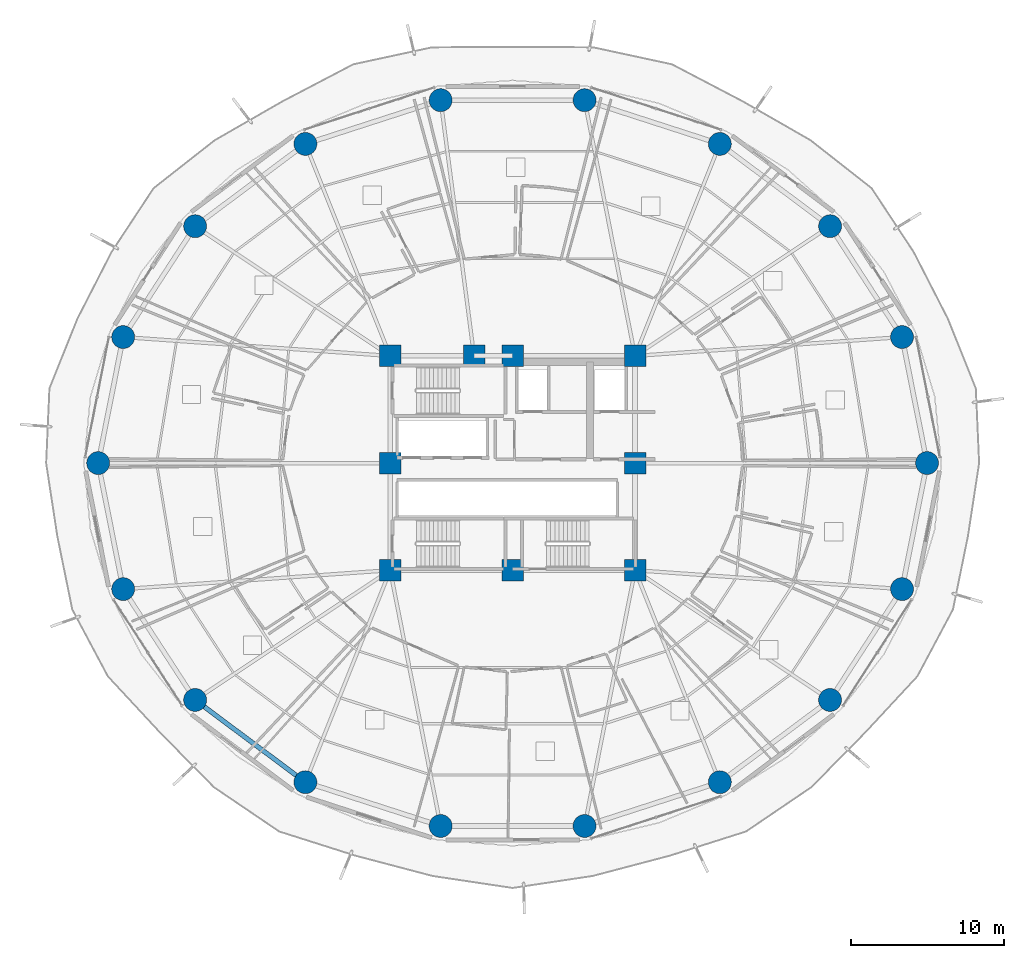
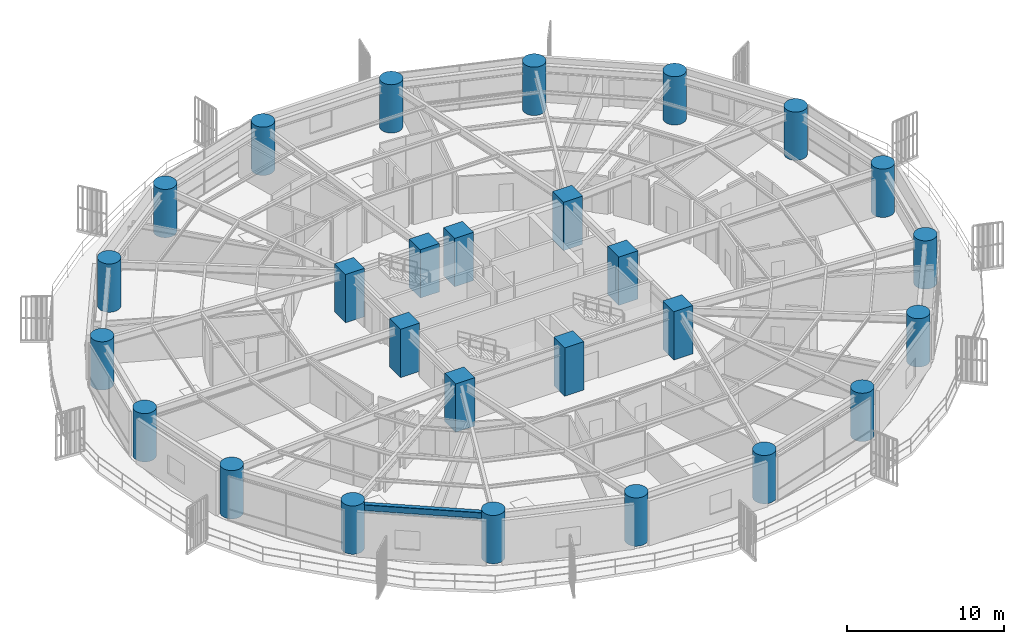
# One storey, part 1 of 34: 27 columns, 1 beam.
"""IFC4 building model written with IfcOpenShell, lengths in metres."""

import ifcopenshell
import ifcopenshell.guid

model = None  # the IFC model being written
_history = None  # IfcOwnerHistory: only IFC2X3 demands one
_inside = {}  # id of a spatial element -> (the spatial element, [elements in it])
_under = {}  # id of a project, library or spatial element -> (it, [spatial elements below it])
_declared = {}  # id of a project -> (the project, [libraries it declares])
_typed = {}  # id of a type object -> (the type object, [elements of that type])
_made_of = {}  # id of a material, layer set ... -> (it, [elements and type objects made of it])


def new_model(schema):
    """Start an empty IFC model of exactly this schema.

    Asked for "IFC4X3", IfcOpenShell would pick the latest addendum, in which some entities
    have other attributes; the version numbers below select the first issue.
    IFC2X3 requires an IfcOwnerHistory on every rooted entity: one is made here for all.
    """
    global model, _history
    if schema == "IFC4X3":
        model = ifcopenshell.file(schema_version=(4, 3, 0, 0))
    else:
        model = ifcopenshell.file(schema=schema)
    _inside.clear()
    _under.clear()
    _declared.clear()
    _typed.clear()
    _made_of.clear()
    _history = None
    if model.schema == "IFC2X3":
        org = make("IfcOrganization", Name="unknown")
        user = make(
            "IfcPersonAndOrganization",
            ThePerson=make("IfcPerson", FamilyName="unknown"),
            TheOrganization=org,
        )
        app = make(
            "IfcApplication",
            ApplicationDeveloper=org,
            Version="unknown",
            ApplicationFullName="unknown",
            ApplicationIdentifier="unknown",
        )
        _history = make(
            "IfcOwnerHistory",
            OwningUser=user,
            OwningApplication=app,
            ChangeAction="ADDED",
            CreationDate=0,
        )
    return model


def make(cls, **values):
    """One entity of the class cls with the attributes given. An attribute that is None is left unset."""
    return model.create_entity(
        cls, **{name: value for name, value in values.items() if value is not None}
    )


def rooted(cls, **values):
    """An entity with a GlobalId (a new one), such as an element, a storey or a relation."""
    return make(cls, GlobalId=ifcopenshell.guid.new(), OwnerHistory=_history, **values)


def si_unit(unit_type, name, prefix=None):
    """IfcSIUnit, for example si_unit("LENGTHUNIT", "METRE", prefix="MILLI")."""
    return make("IfcSIUnit", UnitType=unit_type, Prefix=prefix, Name=name)


def assignment(units):
    """IfcUnitAssignment: the units of a project."""
    return None if units is None else make("IfcUnitAssignment", Units=units)


def point(xyz):
    """IfcCartesianPoint."""
    return None if xyz is None else make("IfcCartesianPoint", Coordinates=xyz)


def direction(xyz):
    """IfcDirection."""
    return None if xyz is None else make("IfcDirection", DirectionRatios=xyz)


def frame(location, z_axis=None, x_axis=None):
    """IfcAxis2Placement3D, a coordinate frame: its origin and axes. An axis left out is left unset."""
    return make(
        "IfcAxis2Placement3D",
        Location=point(location),
        Axis=direction(z_axis),
        RefDirection=direction(x_axis),
    )


def frame_2d(location, x_axis=None):
    """IfcAxis2Placement2D, a coordinate frame in the plane: its origin and x axis."""
    return make(
        "IfcAxis2Placement2D", Location=point(location), RefDirection=direction(x_axis)
    )


def origin():
    """The frame at (0, 0, 0) with its axes left unset."""
    return frame((0.0, 0.0, 0.0))


def origin_2d():
    """The frame at (0, 0) in the plane with its x axis left unset."""
    return frame_2d((0.0, 0.0))


def place(relative_to, where):
    """IfcLocalPlacement: puts the frame where relative to a parent placement (None: the world)."""
    return make(
        "IfcLocalPlacement", PlacementRelTo=relative_to, RelativePlacement=where
    )


def context(
    kind, dimensions, precision=None, world=None, true_north=None, identifier=None
):
    """IfcGeometricRepresentationContext, for example the 3D "Model" context."""
    return make(
        "IfcGeometricRepresentationContext",
        ContextIdentifier=identifier,
        ContextType=kind,
        CoordinateSpaceDimension=dimensions,
        Precision=precision,
        WorldCoordinateSystem=world,
        TrueNorth=true_north,
    )


def subcontext(parent, identifier, kind, view, scale=None):
    """IfcGeometricRepresentationSubContext, for example "Body" below "Model"."""
    return make(
        "IfcGeometricRepresentationSubContext",
        ContextIdentifier=identifier,
        ContextType=kind,
        ParentContext=parent,
        TargetScale=scale,
        TargetView=view,
    )


def project(units=None, contexts=None):
    """IfcProject with its units and contexts."""
    return rooted(
        "IfcProject",
        Name="project",
        RepresentationContexts=contexts,
        UnitsInContext=assignment(units),
    )


def spatial(cls, under=None, at=None, **own):
    """A site, building, storey or space (cls), placed at a placement, below another one or the project."""
    s = rooted(cls, ObjectPlacement=at, **own)
    if under is not None:
        _under.setdefault(under.id(), (under, []))[1].append(s)
    return s


def profile(cls, at=None, kind="AREA", **sizes):
    """A parametric profile (cls). Its sizes go by their IFC names, for example OverallWidth=200.0."""
    return make(cls, ProfileType=kind, Position=at, **sizes)


def rectangle(**sizes):
    """IfcRectangleProfileDef."""
    return profile("IfcRectangleProfileDef", **sizes)


def circle(**sizes):
    """IfcCircleProfileDef."""
    return profile("IfcCircleProfileDef", **sizes)


def i_section(**sizes):
    """IfcIShapeProfileDef."""
    return profile("IfcIShapeProfileDef", **sizes)


def extrude(swept, where, along, depth):
    """IfcExtrudedAreaSolid: the profile swept, set in the frame where, extruded along a direction by depth."""
    return make(
        "IfcExtrudedAreaSolid",
        SweptArea=swept,
        Position=where,
        ExtrudedDirection=direction(along),
        Depth=depth,
    )


def shape(context_of_items, identifier, shape_type, items):
    """IfcShapeRepresentation: the items that make up one representation, for example the "Body"."""
    return make(
        "IfcShapeRepresentation",
        ContextOfItems=context_of_items,
        RepresentationIdentifier=identifier,
        RepresentationType=shape_type,
        Items=items,
    )


def material(Name=None, Category=None):
    """IfcMaterial."""
    return make("IfcMaterial", Name=Name, Category=Category)


def material_profile(
    of_material, cross_section, Name=None, Category=None, Priority=None
):
    """IfcMaterialProfile: a cross section and its material."""
    return make(
        "IfcMaterialProfile",
        Name=Name,
        Material=of_material,
        Profile=cross_section,
        Priority=Priority,
        Category=Category,
    )


def profile_set(profiles, Name=None, composite=None):
    """IfcMaterialProfileSet."""
    return make(
        "IfcMaterialProfileSet",
        Name=Name,
        MaterialProfiles=profiles,
        CompositeProfile=composite,
    )


def made_of(thing, what):
    """Note that an element or type object is made of a material, layer set ...; save() writes the relation."""
    if what is not None:
        _made_of.setdefault(what.id(), (what, []))[1].append(thing)
    return thing


def type_object(cls, material=None, **own):
    """A type object (cls), such as IfcWallType, which elements share."""
    return made_of(rooted(cls, **own), material)


def element(
    cls,
    number,
    at=None,
    inside=None,
    cuts=None,
    type_object=None,
    material=None,
    context=None,
    identifier="Body",
    shape_type=None,
    held_by="IfcProductDefinitionShape",
    body=None,
    shapes=None,
    **own,
):
    """One element of the class cls, such as IfcWall. Its Tag is "e" and its number.

    at: its placement. inside: the storey or other place that contains it. cuts: it is an
    opening in that element (IfcRelVoidsElement). A single representation is given by context,
    identifier, shape_type and body (its items); several are given by shapes. held_by: the class
    of the entity that holds the representations. save() writes the other relations.
    """
    e = rooted(cls, Tag="e%d" % number, ObjectPlacement=at, **own)
    if body is not None:
        shapes = [shape(context, identifier, shape_type, body)]
    if shapes is not None:
        e.Representation = make(held_by, Representations=shapes)
    if inside is not None:
        _inside.setdefault(inside.id(), (inside, []))[1].append(e)
    if cuts is not None:
        rooted(
            "IfcRelVoidsElement", RelatingBuildingElement=cuts, RelatedOpeningElement=e
        )
    if type_object is not None:
        _typed.setdefault(type_object.id(), (type_object, []))[1].append(e)
    return made_of(e, material)


def aggregate(whole, parts):
    """IfcRelAggregates: a whole, such as a stair, and the parts it consists of."""
    return rooted("IfcRelAggregates", RelatingObject=whole, RelatedObjects=parts)


def save(model, path):
    """Write the relations noted so far, then the file.

    IfcRelAggregates (storeys below a building ...), IfcRelContainedInSpatialStructure (elements
    in a storey), IfcRelDefinesByType, IfcRelAssociatesMaterial and IfcRelDeclares: one each for
    every whole, place, type object, material and project.
    """
    for whole, parts in _under.values():
        aggregate(whole, parts)
    for where, things in _inside.values():
        rooted(
            "IfcRelContainedInSpatialStructure",
            RelatedElements=things,
            RelatingStructure=where,
        )
    for kind, things in _typed.values():
        rooted("IfcRelDefinesByType", RelatedObjects=things, RelatingType=kind)
    for what, things in _made_of.values():
        rooted("IfcRelAssociatesMaterial", RelatedObjects=things, RelatingMaterial=what)
    for by, libraries in _declared.values():
        rooted("IfcRelDeclares", RelatingContext=by, RelatedDefinitions=libraries)
    model.write(path)


model = new_model("IFC4")

# Units and contexts
model_context = context("Model", 3, precision=1e-05, world=origin(), true_north=direction((0.0, 1.0)))
body_context = subcontext(model_context, "Body", "Model", "MODEL_VIEW")
ifc_project = project(units=[si_unit("LENGTHUNIT", "METRE"), si_unit("AREAUNIT", "SQUARE_METRE"), si_unit("VOLUMEUNIT", "CUBIC_METRE"), si_unit("PLANEANGLEUNIT", "RADIAN"), si_unit("MASSUNIT", "GRAM", prefix="KILO")], contexts=[model_context])

# Site, building, storey
site_placement = place(None, origin())
site = spatial("IfcSite", under=ifc_project, at=site_placement, CompositionType="ELEMENT")
building_placement = place(site_placement, origin())
building = spatial("IfcBuilding", under=site, at=building_placement, Name="Kelanora Arch Commons", CompositionType="ELEMENT")
storey_placement = place(building_placement, frame((0.0, 0.0, 30.0)))
storey = spatial("IfcBuildingStorey", under=building, at=storey_placement, Name="L07", CompositionType="ELEMENT", Elevation=30.0)

# Columns
ifc_material_1 = material(Name="Concrete C60/75", Category="concrete")
ifc_material_profile_1 = material_profile(ifc_material_1, circle(Radius=0.75, at=origin_2d()), Name="RCC1500")
ifc_profile_set_1 = profile_set([ifc_material_profile_1], Name="Concrete C60/75")
column_type_1 = type_object("IfcColumnType", Name="COL-PERIM-Z1", PredefinedType="COLUMN", material=ifc_profile_set_1)
for number, where, z_axis, x_axis, name in (
    (1, (101.080078125, 58.0, 0.0), (0.0, 0.0, 1.0), (1.0, 0.0, 0.0), "Perimeter Ring Column CP-00 L07"),
    (2, (99.447021484375, 66.23583984375, 0.0), (0.0, 0.0, 1.0), (1.0, 0.0, 0.0), "Perimeter Ring Column CP-02 L07"),
    (3, (94.744384765625, 73.478271484375, 0.0), (0.0, 0.0, 1.0), (1.0, 0.0, 0.0), "Perimeter Ring Column CP-04 L07"),
    (4, (87.5400390625, 78.85400390625, 0.0), (0.0, 0.0, 1.0), (1.0, 0.0, 0.0), "Perimeter Ring Column CP-06 L07"),
    (5, (78.702392578125, 81.714111328125, 0.0), (0.0, 0.0, 1.0), (1.0, 0.0, 0.0), "Perimeter Ring Column CP-08 L07"),
    (6, (69.297607421875, 81.714111328125, 0.0), (0.0, 0.0, 1.0), (1.0, 0.0, 0.0), "Perimeter Ring Column CP-10 L07"),
    (7, (60.4599609375, 78.85400390625, 0.0), (0.0, 0.0, 1.0), (1.0, 0.0, 0.0), "Perimeter Ring Column CP-12 L07"),
    (8, (53.255615234375, 73.478271484375, 0.0), (0.0, 0.0, 1.0), (1.0, 0.0, 0.0), "Perimeter Ring Column CP-14 L07"),
    (9, (48.552978515625, 66.23583984375, 0.0), (0.0, 0.0, 1.0), (1.0, 0.0, 0.0), "Perimeter Ring Column CP-16 L07"),
    (10, (46.919921875, 58.0, 0.0), (0.0, 0.0, 1.0), (1.0, 0.0, 0.0), "Perimeter Ring Column CP-18 L07"),
    (11, (48.552978515625, 49.76416015625, 0.0), (0.0, 0.0, 1.0), (1.0, 0.0, 0.0), "Perimeter Ring Column CP-20 L07"),
    (12, (53.255615234375, 42.521728515625, 0.0), (0.0, 0.0, 1.0), (1.0, 0.0, 0.0), "Perimeter Ring Column CP-22 L07"),
    (13, (60.4599609375, 37.14599609375, 0.0), (0.0, 0.0, 1.0), (1.0, 0.0, 0.0), "Perimeter Ring Column CP-24 L07"),
    (14, (69.297607421875, 34.285888671875, 0.0), (0.0, 0.0, 1.0), (1.0, 0.0, 0.0), "Perimeter Ring Column CP-26 L07"),
    (15, (78.702392578125, 34.285888671875, 0.0), (0.0, 0.0, 1.0), (1.0, 0.0, 0.0), "Perimeter Ring Column CP-28 L07"),
    (16, (87.5400390625, 37.14599609375, 0.0), (0.0, 0.0, 1.0), (1.0, 0.0, 0.0), "Perimeter Ring Column CP-30 L07"),
    (17, (94.744384765625, 42.521728515625, 0.0), (0.0, 0.0, 1.0), (1.0, 0.0, 0.0), "Perimeter Ring Column CP-32 L07"),
    (18, (99.447021484375, 49.76416015625, 0.0), (0.0, 0.0, 1.0), (1.0, 0.0, 0.0), "Perimeter Ring Column CP-34 L07"),
):
    element("IfcColumn", number, at=place(storey_placement, frame(where, z_axis=z_axis, x_axis=x_axis)), inside=storey, type_object=column_type_1, Name=name, PredefinedType="COLUMN", context=body_context, shape_type="SweptSolid", body=[
        extrude(circle(Radius=0.75, at=origin_2d()), origin(), (0.0, 0.0, 1.0), 3.75),
    ])
ifc_material_profile_2 = material_profile(ifc_material_1, rectangle(XDim=1.39990234375, YDim=1.39990234375, at=origin_2d()), Name="RC1400x1400")
ifc_profile_set_2 = profile_set([ifc_material_profile_2], Name="Concrete C60/75")
column_type_2 = type_object("IfcColumnType", Name="COL-PIL-LOW", PredefinedType="PILASTER", material=ifc_profile_set_2)
for number, where, z_axis, x_axis, name in (
    (19, (66.0, 51.0, 0.0), (0.0, 0.0, 1.0), (1.0, 0.0, 0.0), "Core Pilaster Column CP1 L07"),
    (20, (74.0, 51.0, 0.0), (0.0, 0.0, 1.0), (1.0, 0.0, 0.0), "Core Pilaster Column CP2 L07"),
    (21, (82.0, 51.0, 0.0), (0.0, 0.0, 1.0), (1.0, 0.0, 0.0), "Core Pilaster Column CP3 L07"),
    (22, (82.0, 58.0, 0.0), (0.0, 0.0, 1.0), (1.0, 0.0, 0.0), "Core Pilaster Column CP4 L07"),
    (23, (82.0, 65.0, 0.0), (0.0, 0.0, 1.0), (1.0, 0.0, 0.0), "Core Pilaster Column CP5 L07"),
    (24, (74.0, 65.0, 0.0), (0.0, 0.0, 1.0), (1.0, 0.0, 0.0), "Core Pilaster Column CP6 L07"),
    (25, (71.47998046875, 65.0, 0.0), (0.0, 0.0, 1.0), (1.0, 0.0, 0.0), "Core Pilaster Column CP9 L07"),
    (26, (66.0, 65.0, 0.0), (0.0, 0.0, 1.0), (1.0, 0.0, 0.0), "Core Pilaster Column CP7 L07"),
    (27, (66.0, 58.0, 0.0), (0.0, 0.0, 1.0), (1.0, 0.0, 0.0), "Core Pilaster Column CP8 L07"),
):
    element("IfcColumn", number, at=place(storey_placement, frame(where, z_axis=z_axis, x_axis=x_axis)), inside=storey, type_object=column_type_2, Name=name, PredefinedType="PILASTER", context=body_context, shape_type="SweptSolid", body=[
        extrude(rectangle(XDim=1.39990234375, YDim=1.39990234375, at=origin_2d()), origin(), (0.0, 0.0, 1.0), 3.75),
    ])

# Beam
ifc_material_2 = material(Name="Steel S355", Category="steel")
ifc_material_profile_3 = material_profile(ifc_material_2, i_section(OverallWidth=0.300048828125, OverallDepth=0.60009765625, WebThickness=0.015380859375, FlangeThickness=0.030029296875, FilletRadius=0.027099609375, at=origin_2d()), Name="HEB600")
ifc_profile_set_3 = profile_set([ifc_material_profile_3], Name="Steel S355")
beam_type = type_object("IfcBeamType", Name="BM-SPN-Z1", PredefinedType="SPANDREL", material=ifc_profile_set_3)
beam_placement = place(storey_placement, frame((53.431884765625, 42.39013671875, 3.18994140625), z_axis=(0.801474585329, -0.598028836322, 0.0), x_axis=(0.598028836322, 0.801474585329, 0.0)))
element("IfcBeam", 28, at=beam_placement, inside=storey, type_object=beam_type, Name="Perimeter Spandrel Beam BS-22 L07", PredefinedType="SPANDREL", context=body_context, shape_type="SweptSolid", body=[
    extrude(i_section(OverallWidth=0.300048828125, OverallDepth=0.60009765625, WebThickness=0.015380859375, FlangeThickness=0.030029296875, FilletRadius=0.027099609375, at=origin_2d()), origin(), (0.0, 0.0, 1.0), 8.549072265625),
])

save(model, "model.ifc")
